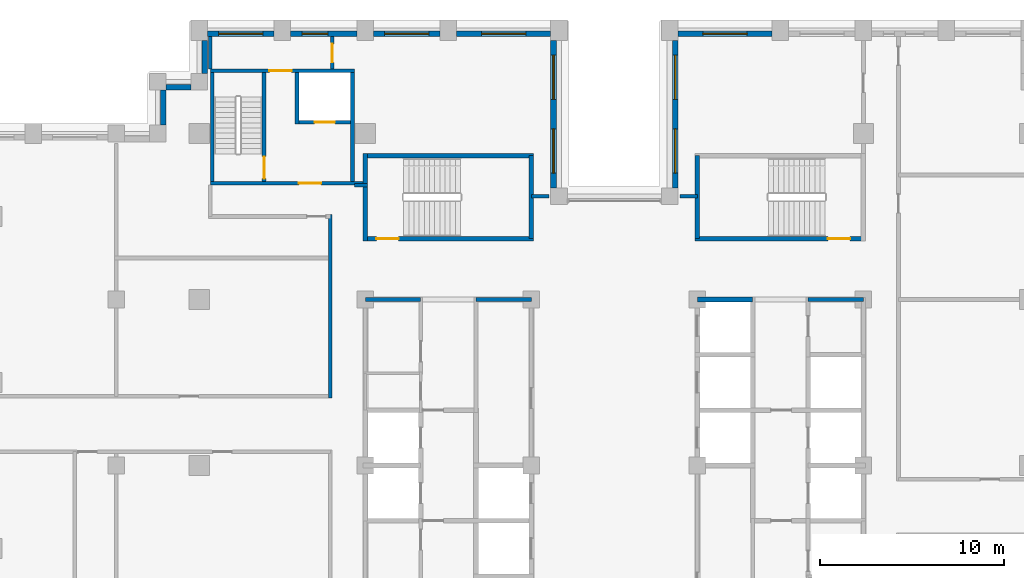
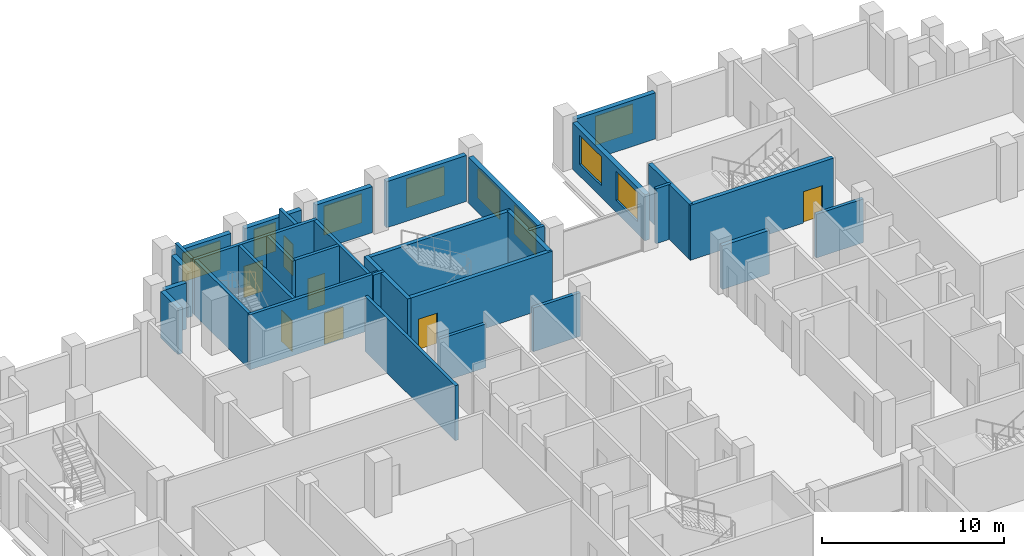
# One storey, part 10 of 15: 33 walls, 9 windows, 7 doors, 16 openings.
"""IFC4 building model written with IfcOpenShell, lengths in metres."""

from ifc_helpers import new_model, si_unit, direction, frame, frame_2d, origin, place, context, subcontext, project, spatial, rectangle, extrude, material, layer, layer_set, type_object, element, fill, save


model = new_model("IFC4")

# Units and contexts
model_context = context("Model", 3, precision=1e-05, world=origin(), true_north=direction((0.0, 1.0)))
body_context = subcontext(model_context, "Body", "Model", "MODEL_VIEW")
ifc_project = project(units=[si_unit("LENGTHUNIT", "METRE"), si_unit("AREAUNIT", "SQUARE_METRE"), si_unit("VOLUMEUNIT", "CUBIC_METRE"), si_unit("PLANEANGLEUNIT", "RADIAN"), si_unit("MASSUNIT", "GRAM", prefix="KILO")], contexts=[model_context])

# Site, building, storey
site_placement = place(None, origin())
site = spatial("IfcSite", under=ifc_project, at=site_placement, CompositionType="ELEMENT")
building_placement = place(site_placement, origin())
building = spatial("IfcBuilding", under=site, at=building_placement, Name="Corbelhall Arena Tower", CompositionType="ELEMENT")
storey_placement = place(building_placement, frame((0.0, 0.0, 142.0)))
storey = spatial("IfcBuildingStorey", under=building, at=storey_placement, Name="L27", CompositionType="ELEMENT", Elevation=142.0)

# Walls
ifc_material_1 = material(Name="Precast concrete C40/50 with granite facing", Category="masonry")
ifc_layer_1 = layer(ifc_material_1, 0.300048828125)
ifc_layer_set_1 = layer_set([ifc_layer_1], Name="EV-IW1 Infill panel 300")
wall_type_1 = type_object("IfcWallType", Name="EV-IW1 Infill panel 300", PredefinedType="SOLIDWALL", material=ifc_layer_set_1)
wall_1_placement = place(storey_placement, frame((-22.199951171875, 23.050048828125, 0.0), z_axis=(0.0, 0.0, 1.0), x_axis=(0.0, -1.0, 0.0)))
element("IfcWall", 1, at=wall_1_placement, inside=storey, type_object=wall_type_1, Name="Infill panel IW1", PredefinedType="SOLIDWALL", context=body_context, shape_type="SweptSolid", body=[
    extrude(rectangle(XDim=1.800048828125, YDim=0.300048828125, at=frame_2d((0.89990234375, 0.0))), origin(), (0.0, 0.0, 1.0), 3.10009765625),
])
wall_2_placement = place(storey_placement, frame((-22.949951171875, 20.5, 0.0), z_axis=(0.0, 0.0, 1.0), x_axis=(-1.0, 0.0, 0.0)))
element("IfcWall", 2, at=wall_2_placement, inside=storey, type_object=wall_type_1, Name="Infill panel IW1", PredefinedType="SOLIDWALL", context=body_context, shape_type="SweptSolid", body=[
    extrude(rectangle(XDim=1.35009765625, YDim=0.300048828125, at=frame_2d((0.675048828125, 0.0))), origin(), (0.0, 0.0, 1.0), 3.10009765625),
])
wall_3_placement = place(storey_placement, frame((-24.449951171875, 20.35009765625, 0.0), z_axis=(0.0, 0.0, 1.0), x_axis=(0.0, -1.0, 0.0)))
element("IfcWall", 3, at=wall_3_placement, inside=storey, type_object=wall_type_1, Name="Infill panel IW1", PredefinedType="SOLIDWALL", context=body_context, shape_type="SweptSolid", body=[
    extrude(rectangle(XDim=1.900146484375, YDim=0.300048828125, at=frame_2d((0.9501953125, 0.0))), origin(), (0.0, 0.0, 1.0), 3.10009765625),
])

# Wall, opening, window
wall_4_placement = place(storey_placement, frame((8.550048828125, 23.39990234375, 0.0), z_axis=(0.0, 0.0, 1.0), x_axis=(-1.0, 0.0, 0.0)))
wall_4 = element("IfcWall", 4, at=wall_4_placement, inside=storey, type_object=wall_type_1, Name="Infill panel IW1", PredefinedType="SOLIDWALL", context=body_context, shape_type="SweptSolid", body=[
    extrude(rectangle(XDim=5.10009765625, YDim=0.300048828125, at=frame_2d((2.550048828125, 0.0))), origin(), (0.0, 0.0, 1.0), 3.10009765625),
])
opening_1_placement = place(wall_4_placement, frame((1.35009765625, 0.0, 0.800048828125)))
opening_1 = element("IfcOpeningElement", 5, at=opening_1_placement, cuts=wall_4, Name="Opening WN1", PredefinedType="OPENING", context=body_context, shape_type="SweptSolid", body=[
    extrude(rectangle(XDim=2.39990234375, YDim=1.949951171875, at=frame_2d((1.199951171875, 0.97509765625))), frame((0.0, 0.14990234375, 0.0), z_axis=(0.0, -1.0, 0.0), x_axis=(1.0, 0.0, 0.0)), (0.0, 0.0, 1.0), 0.300048828125),
])
ifc_material_2 = material(Name="Aluminium black anodised", Category="aluminium")
window_type_1 = type_object("IfcWindowType", Name="EV-WN1 Office window", PartitioningType="SINGLE_PANEL", PredefinedType="WINDOW", material=ifc_material_2)
window_1_placement = place(opening_1_placement, origin())
window_1 = element("IfcWindow", 6, at=window_1_placement, inside=storey, type_object=window_type_1, Name="Window WN1", OverallHeight=1.949951171875, OverallWidth=2.39990234375, PartitioningType="SINGLE_PANEL", PredefinedType="WINDOW", context=body_context, shape_type="SweptSolid", body=[
    extrude(rectangle(XDim=2.39990234375, YDim=1.949951171875, at=frame_2d((1.199951171875, 0.97509765625))), frame((0.0, 0.030029296875, 0.0), z_axis=(0.0, -1.0, 0.0), x_axis=(1.0, 0.0, 0.0)), (0.0, 0.0, 1.0), 0.06005859375),
])
fill(opening_1, window_1)

# Wall, openings, windows
wall_5_placement = place(storey_placement, frame((3.300048828125, 23.050048828125, 0.0), z_axis=(0.0, 0.0, 1.0), x_axis=(0.0, -1.0, 0.0)))
wall_5 = element("IfcWall", 7, at=wall_5_placement, inside=storey, type_object=wall_type_1, Name="Infill panel IW1", PredefinedType="SOLIDWALL", context=body_context, shape_type="SweptSolid", body=[
    extrude(rectangle(XDim=8.0, YDim=0.300048828125, at=frame_2d((4.0, 0.0))), origin(), (0.0, 0.0, 1.0), 3.10009765625),
])
opening_2_placement = place(wall_5_placement, frame((0.800048828125, 0.0, 0.800048828125)))
opening_2 = element("IfcOpeningElement", 8, at=opening_2_placement, cuts=wall_5, Name="Opening WN1", PredefinedType="OPENING", context=body_context, shape_type="SweptSolid", body=[
    extrude(rectangle(XDim=2.39990234375, YDim=1.949951171875, at=frame_2d((1.199951171875, 0.97509765625))), frame((0.0, 0.14990234375, 0.0), z_axis=(0.0, -1.0, 0.0), x_axis=(1.0, 0.0, 0.0)), (0.0, 0.0, 1.0), 0.300048828125),
])
opening_3_placement = place(wall_5_placement, frame((4.800048828125, 0.0, 0.800048828125)))
opening_3 = element("IfcOpeningElement", 9, at=opening_3_placement, cuts=wall_5, Name="Opening WN1", PredefinedType="OPENING", context=body_context, shape_type="SweptSolid", body=[
    extrude(rectangle(XDim=2.39990234375, YDim=1.949951171875, at=frame_2d((1.199951171875, 0.97509765625))), frame((0.0, 0.14990234375, 0.0), z_axis=(0.0, -1.0, 0.0), x_axis=(1.0, 0.0, 0.0)), (0.0, 0.0, 1.0), 0.300048828125),
])
window_2_placement = place(opening_2_placement, origin())
window_2 = element("IfcWindow", 10, at=window_2_placement, inside=storey, type_object=window_type_1, Name="Window WN1", OverallHeight=1.949951171875, OverallWidth=2.39990234375, PartitioningType="SINGLE_PANEL", PredefinedType="WINDOW", context=body_context, shape_type="SweptSolid", body=[
    extrude(rectangle(XDim=2.39990234375, YDim=1.949951171875, at=frame_2d((1.199951171875, 0.97509765625))), frame((0.0, 0.030029296875, 0.0), z_axis=(0.0, -1.0, 0.0), x_axis=(1.0, 0.0, 0.0)), (0.0, 0.0, 1.0), 0.06005859375),
])
fill(opening_2, window_2)
window_3_placement = place(opening_3_placement, origin())
window_3 = element("IfcWindow", 11, at=window_3_placement, inside=storey, type_object=window_type_1, Name="Window WN1", OverallHeight=1.949951171875, OverallWidth=2.39990234375, PartitioningType="SINGLE_PANEL", PredefinedType="WINDOW", context=body_context, shape_type="SweptSolid", body=[
    extrude(rectangle(XDim=2.39990234375, YDim=1.949951171875, at=frame_2d((1.199951171875, 0.97509765625))), frame((0.0, 0.030029296875, 0.0), z_axis=(0.0, -1.0, 0.0), x_axis=(1.0, 0.0, 0.0)), (0.0, 0.0, 1.0), 0.06005859375),
])
fill(opening_3, window_3)

wall_6_placement = place(storey_placement, frame((-3.300048828125, 15.050048828125, 0.0), z_axis=(0.0, 0.0, 1.0), x_axis=(0.0, 1.0, 0.0)))
wall_6 = element("IfcWall", 12, at=wall_6_placement, inside=storey, type_object=wall_type_1, Name="Infill panel IW1", PredefinedType="SOLIDWALL", context=body_context, shape_type="SweptSolid", body=[
    extrude(rectangle(XDim=8.0, YDim=0.300048828125, at=frame_2d((4.0, 0.0))), origin(), (0.0, 0.0, 1.0), 3.10009765625),
])
opening_4_placement = place(wall_6_placement, frame((0.800048828125, 0.0, 0.800048828125)))
opening_4 = element("IfcOpeningElement", 13, at=opening_4_placement, cuts=wall_6, Name="Opening WN1", PredefinedType="OPENING", context=body_context, shape_type="SweptSolid", body=[
    extrude(rectangle(XDim=2.39990234375, YDim=1.949951171875, at=frame_2d((1.199951171875, 0.97509765625))), frame((0.0, 0.14990234375, 0.0), z_axis=(0.0, -1.0, 0.0), x_axis=(1.0, 0.0, 0.0)), (0.0, 0.0, 1.0), 0.300048828125),
])
opening_5_placement = place(wall_6_placement, frame((4.800048828125, 0.0, 0.800048828125)))
opening_5 = element("IfcOpeningElement", 14, at=opening_5_placement, cuts=wall_6, Name="Opening WN1", PredefinedType="OPENING", context=body_context, shape_type="SweptSolid", body=[
    extrude(rectangle(XDim=2.39990234375, YDim=1.949951171875, at=frame_2d((1.199951171875, 0.97509765625))), frame((0.0, 0.14990234375, 0.0), z_axis=(0.0, -1.0, 0.0), x_axis=(1.0, 0.0, 0.0)), (0.0, 0.0, 1.0), 0.300048828125),
])
window_4_placement = place(opening_4_placement, origin())
window_4 = element("IfcWindow", 15, at=window_4_placement, inside=storey, type_object=window_type_1, Name="Window WN1", OverallHeight=1.949951171875, OverallWidth=2.39990234375, PartitioningType="SINGLE_PANEL", PredefinedType="WINDOW", context=body_context, shape_type="SweptSolid", body=[
    extrude(rectangle(XDim=2.39990234375, YDim=1.949951171875, at=frame_2d((1.199951171875, 0.97509765625))), frame((0.0, 0.030029296875, 0.0), z_axis=(0.0, -1.0, 0.0), x_axis=(1.0, 0.0, 0.0)), (0.0, 0.0, 1.0), 0.06005859375),
])
fill(opening_4, window_4)
window_5_placement = place(opening_5_placement, origin())
window_5 = element("IfcWindow", 16, at=window_5_placement, inside=storey, type_object=window_type_1, Name="Window WN1", OverallHeight=1.949951171875, OverallWidth=2.39990234375, PartitioningType="SINGLE_PANEL", PredefinedType="WINDOW", context=body_context, shape_type="SweptSolid", body=[
    extrude(rectangle(XDim=2.39990234375, YDim=1.949951171875, at=frame_2d((1.199951171875, 0.97509765625))), frame((0.0, 0.030029296875, 0.0), z_axis=(0.0, -1.0, 0.0), x_axis=(1.0, 0.0, 0.0)), (0.0, 0.0, 1.0), 0.06005859375),
])
fill(opening_5, window_5)

# Wall, opening, window
wall_7_placement = place(storey_placement, frame((-3.449951171875, 23.39990234375, 0.0), z_axis=(0.0, 0.0, 1.0), x_axis=(-1.0, 0.0, 0.0)))
wall_7 = element("IfcWall", 17, at=wall_7_placement, inside=storey, type_object=wall_type_1, Name="Infill panel IW1", PredefinedType="SOLIDWALL", context=body_context, shape_type="SweptSolid", body=[
    extrude(rectangle(XDim=5.10009765625, YDim=0.300048828125, at=frame_2d((2.550048828125, 0.0))), origin(), (0.0, 0.0, 1.0), 3.10009765625),
])
opening_6_placement = place(wall_7_placement, frame((1.35009765625, 0.0, 0.800048828125)))
opening_6 = element("IfcOpeningElement", 18, at=opening_6_placement, cuts=wall_7, Name="Opening WN1", PredefinedType="OPENING", context=body_context, shape_type="SweptSolid", body=[
    extrude(rectangle(XDim=2.39990234375, YDim=1.949951171875, at=frame_2d((1.199951171875, 0.97509765625))), frame((0.0, 0.14990234375, 0.0), z_axis=(0.0, -1.0, 0.0), x_axis=(1.0, 0.0, 0.0)), (0.0, 0.0, 1.0), 0.300048828125),
])
window_6_placement = place(opening_6_placement, origin())
window_6 = element("IfcWindow", 19, at=window_6_placement, inside=storey, type_object=window_type_1, Name="Window WN1", OverallHeight=1.949951171875, OverallWidth=2.39990234375, PartitioningType="SINGLE_PANEL", PredefinedType="WINDOW", context=body_context, shape_type="SweptSolid", body=[
    extrude(rectangle(XDim=2.39990234375, YDim=1.949951171875, at=frame_2d((1.199951171875, 0.97509765625))), frame((0.0, 0.030029296875, 0.0), z_axis=(0.0, -1.0, 0.0), x_axis=(1.0, 0.0, 0.0)), (0.0, 0.0, 1.0), 0.06005859375),
])
fill(opening_6, window_6)

wall_8_placement = place(storey_placement, frame((-9.449951171875, 23.39990234375, 0.0), z_axis=(0.0, 0.0, 1.0), x_axis=(-1.0, 0.0, 0.0)))
wall_8 = element("IfcWall", 20, at=wall_8_placement, inside=storey, type_object=wall_type_1, Name="Infill panel IW1", PredefinedType="SOLIDWALL", context=body_context, shape_type="SweptSolid", body=[
    extrude(rectangle(XDim=3.60009765625, YDim=0.300048828125, at=frame_2d((1.800048828125, 0.0))), origin(), (0.0, 0.0, 1.0), 3.10009765625),
])
opening_7_placement = place(wall_8_placement, frame((0.60009765625, 0.0, 0.800048828125)))
opening_7 = element("IfcOpeningElement", 21, at=opening_7_placement, cuts=wall_8, Name="Opening WN1", PredefinedType="OPENING", context=body_context, shape_type="SweptSolid", body=[
    extrude(rectangle(XDim=2.39990234375, YDim=1.949951171875, at=frame_2d((1.199951171875, 0.97509765625))), frame((0.0, 0.14990234375, 0.0), z_axis=(0.0, -1.0, 0.0), x_axis=(1.0, 0.0, 0.0)), (0.0, 0.0, 1.0), 0.300048828125),
])
window_7_placement = place(opening_7_placement, origin())
window_7 = element("IfcWindow", 22, at=window_7_placement, inside=storey, type_object=window_type_1, Name="Window WN1", OverallHeight=1.949951171875, OverallWidth=2.39990234375, PartitioningType="SINGLE_PANEL", PredefinedType="WINDOW", context=body_context, shape_type="SweptSolid", body=[
    extrude(rectangle(XDim=2.39990234375, YDim=1.949951171875, at=frame_2d((1.199951171875, 0.97509765625))), frame((0.0, 0.030029296875, 0.0), z_axis=(0.0, -1.0, 0.0), x_axis=(1.0, 0.0, 0.0)), (0.0, 0.0, 1.0), 0.06005859375),
])
fill(opening_7, window_7)

wall_9_placement = place(storey_placement, frame((-13.949951171875, 23.39990234375, 0.0), z_axis=(0.0, 0.0, 1.0), x_axis=(-1.0, 0.0, 0.0)))
wall_9 = element("IfcWall", 23, at=wall_9_placement, inside=storey, type_object=wall_type_1, Name="Infill panel IW1", PredefinedType="SOLIDWALL", context=body_context, shape_type="SweptSolid", body=[
    extrude(rectangle(XDim=3.60009765625, YDim=0.300048828125, at=frame_2d((1.800048828125, 0.0))), origin(), (0.0, 0.0, 1.0), 3.10009765625),
])
opening_8_placement = place(wall_9_placement, frame((1.574951171875, 0.0, 0.800048828125)))
opening_8 = element("IfcOpeningElement", 24, at=opening_8_placement, cuts=wall_9, Name="Opening WN7", PredefinedType="OPENING", context=body_context, shape_type="SweptSolid", body=[
    extrude(rectangle(XDim=1.39990234375, YDim=1.949951171875, at=frame_2d((0.699951171875, 0.97509765625))), frame((0.0, 0.14990234375, 0.0), z_axis=(0.0, -1.0, 0.0), x_axis=(1.0, 0.0, 0.0)), (0.0, 0.0, 1.0), 0.300048828125),
])
window_type_2 = type_object("IfcWindowType", Name="EV-WN7 Office window 1400", PartitioningType="SINGLE_PANEL", PredefinedType="WINDOW", material=ifc_material_2)
window_8_placement = place(opening_8_placement, origin())
window_8 = element("IfcWindow", 25, at=window_8_placement, inside=storey, type_object=window_type_2, Name="Window WN7", OverallHeight=1.949951171875, OverallWidth=1.39990234375, PartitioningType="SINGLE_PANEL", PredefinedType="WINDOW", context=body_context, shape_type="SweptSolid", body=[
    extrude(rectangle(XDim=1.39990234375, YDim=1.949951171875, at=frame_2d((0.699951171875, 0.97509765625))), frame((0.0, 0.030029296875, 0.0), z_axis=(0.0, -1.0, 0.0), x_axis=(1.0, 0.0, 0.0)), (0.0, 0.0, 1.0), 0.06005859375),
])
fill(opening_8, window_8)

wall_10_placement = place(storey_placement, frame((-18.449951171875, 23.39990234375, 0.0), z_axis=(0.0, 0.0, 1.0), x_axis=(-1.0, 0.0, 0.0)))
wall_10 = element("IfcWall", 26, at=wall_10_placement, inside=storey, type_object=wall_type_1, Name="Infill panel IW1", PredefinedType="SOLIDWALL", context=body_context, shape_type="SweptSolid", body=[
    extrude(rectangle(XDim=3.60009765625, YDim=0.300048828125, at=frame_2d((1.800048828125, 0.0))), origin(), (0.0, 0.0, 1.0), 3.10009765625),
])
opening_9_placement = place(wall_10_placement, frame((0.60009765625, 0.0, 0.800048828125)))
opening_9 = element("IfcOpeningElement", 27, at=opening_9_placement, cuts=wall_10, Name="Opening WN1", PredefinedType="OPENING", context=body_context, shape_type="SweptSolid", body=[
    extrude(rectangle(XDim=2.39990234375, YDim=1.949951171875, at=frame_2d((1.199951171875, 0.97509765625))), frame((0.0, 0.14990234375, 0.0), z_axis=(0.0, -1.0, 0.0), x_axis=(1.0, 0.0, 0.0)), (0.0, 0.0, 1.0), 0.300048828125),
])
window_9_placement = place(opening_9_placement, origin())
window_9 = element("IfcWindow", 28, at=window_9_placement, inside=storey, type_object=window_type_1, Name="Window WN1", OverallHeight=1.949951171875, OverallWidth=2.39990234375, PartitioningType="SINGLE_PANEL", PredefinedType="WINDOW", context=body_context, shape_type="SweptSolid", body=[
    extrude(rectangle(XDim=2.39990234375, YDim=1.949951171875, at=frame_2d((1.199951171875, 0.97509765625))), frame((0.0, 0.030029296875, 0.0), z_axis=(0.0, -1.0, 0.0), x_axis=(1.0, 0.0, 0.0)), (0.0, 0.0, 1.0), 0.06005859375),
])
fill(opening_9, window_9)

# Walls
ifc_material_3 = material(Name="Gypsum board on steel stud, acoustic", Category="steel")
ifc_layer_2 = layer(ifc_material_3, 0.199951171875)
ifc_layer_set_2 = layer_set([ifc_layer_2], Name="IN-W-DM200")
wall_type_2 = type_object("IfcWallType", Name="IN-W-DM200", PredefinedType="PARTITIONING", material=ifc_layer_set_2)
wall_11_placement = place(storey_placement, frame((-21.89990234375, 21.5, 0.0), z_axis=(0.0, 0.0, 1.0), x_axis=(0.0, 1.0, 0.0)))
element("IfcWall", 29, at=wall_11_placement, inside=storey, type_object=wall_type_2, Name="Partition 015", PredefinedType="PARTITIONING", context=body_context, shape_type="SweptSolid", body=[
    extrude(rectangle(XDim=1.75, YDim=0.199951171875, at=frame_2d((0.875, 0.0))), origin(), (0.0, 0.0, 1.0), 3.699951171875),
])
wall_12_placement = place(storey_placement, frame((-15.39990234375, 3.64990234375, 0.0), z_axis=(0.0, 0.0, 1.0), x_axis=(0.0, 1.0, 0.0)))
element("IfcWall", 30, at=wall_12_placement, inside=storey, type_object=wall_type_2, Name="Partition 017", PredefinedType="PARTITIONING", context=body_context, shape_type="SweptSolid", body=[
    extrude(rectangle(XDim=9.9501953125, YDim=0.199951171875, at=frame_2d((4.97509765625, 0.0))), origin(), (0.0, 0.0, 1.0), 3.699951171875),
])

# Wall, opening, door
wall_13_placement = place(storey_placement, frame((-15.300048828125, 23.25, 0.0), z_axis=(0.0, 0.0, 1.0), x_axis=(0.0, -1.0, 0.0)))
wall_13 = element("IfcWall", 31, at=wall_13_placement, inside=storey, type_object=wall_type_2, Name="Partition 019", PredefinedType="PARTITIONING", context=body_context, shape_type="SweptSolid", body=[
    extrude(rectangle(XDim=1.75, YDim=0.199951171875, at=frame_2d((0.875, 0.0))), origin(), (0.0, 0.0, 1.0), 3.699951171875),
])
opening_10_placement = place(wall_13_placement, frame((0.39990234375, 0.0, 0.0)))
opening_10 = element("IfcOpeningElement", 32, at=opening_10_placement, cuts=wall_13, Name="Opening 07022", PredefinedType="OPENING", context=body_context, shape_type="SweptSolid", body=[
    extrude(rectangle(XDim=1.0, YDim=2.10009765625, at=frame_2d((0.5, 1.050048828125))), frame((0.0, 0.10009765625, 0.0), z_axis=(0.0, -1.0, 0.0), x_axis=(1.0, 0.0, 0.0)), (0.0, 0.0, 1.0), 0.199951171875),
])
ifc_material_4 = material(Name="Steel door set", Category="steel")
door_type_1 = type_object("IfcDoorType", Name="IN-D-SW100", OperationType="NOTDEFINED", PredefinedType="DOOR", material=ifc_material_4)
door_1_placement = place(opening_10_placement, origin())
door_1 = element("IfcDoor", 33, at=door_1_placement, inside=storey, type_object=door_type_1, Name="Door 022", OperationType="SINGLE_SWING_LEFT", OverallHeight=2.10009765625, OverallWidth=1.0, PredefinedType="DOOR", context=body_context, shape_type="SweptSolid", body=[
    extrude(rectangle(XDim=1.0, YDim=2.10009765625, at=frame_2d((0.5, 1.050048828125))), frame((0.0, 0.02490234375, 0.0), z_axis=(0.0, -1.0, 0.0), x_axis=(1.0, 0.0, 0.0)), (0.0, 0.0, 1.0), 0.050048828125),
])
fill(opening_10, door_1)

# Walls
wall_14_placement = place(storey_placement, frame((-14.10009765625, 15.199951171875, 0.0), z_axis=(0.0, 0.0, 1.0), x_axis=(1.0, 0.0, 0.0)))
element("IfcWall", 34, at=wall_14_placement, inside=storey, type_object=wall_type_2, Name="Partition 020", PredefinedType="PARTITIONING", context=body_context, shape_type="SweptSolid", body=[
    extrude(rectangle(XDim=0.72509765625, YDim=0.199951171875, at=frame_2d((0.362548828125, 0.0))), origin(), (0.0, 0.0, 1.0), 3.699951171875),
])
for number, where, z_axis, x_axis, name in (
    (35, (-4.5, 14.60009765625, 0.0), (0.0, 0.0, 1.0), (1.0, 0.0, 0.0), "Partition 022"),
    (36, (3.550048828125, 14.60009765625, 0.0), (0.0, 0.0, 1.0), (1.0, 0.0, 0.0), "Partition 024"),
):
    element("IfcWall", number, at=place(storey_placement, frame(where, z_axis=z_axis, x_axis=x_axis)), inside=storey, type_object=wall_type_2, Name=name, PredefinedType="PARTITIONING", context=body_context, shape_type="SweptSolid", body=[
        extrude(rectangle(XDim=0.949951171875, YDim=0.199951171875, at=frame_2d((0.47509765625, 0.0))), origin(), (0.0, 0.0, 1.0), 3.699951171875),
    ])

# Wall, opening, door
ifc_material_5 = material(Name="Concrete C40/50", Category="concrete")
ifc_layer_3 = layer(ifc_material_5, 0.199951171875)
ifc_layer_set_3 = layer_set([ifc_layer_3], Name="IN-W-EAR200")
wall_type_3 = type_object("IfcWallType", Name="IN-W-EAR200", PredefinedType="SOLIDWALL", material=ifc_layer_set_3)
wall_15_placement = place(storey_placement, frame((-21.89990234375, 15.300048828125, 0.0), z_axis=(0.0, 0.0, 1.0), x_axis=(1.0, 0.0, 0.0)))
wall_15 = element("IfcWall", 37, at=wall_15_placement, inside=storey, type_object=wall_type_3, Name="Fire service turret wall south", PredefinedType="SOLIDWALL", context=body_context, shape_type="SweptSolid", body=[
    extrude(rectangle(XDim=8.27490234375, YDim=0.199951171875, at=frame_2d((4.137451171875, 0.0))), origin(), (0.0, 0.0, 1.0), 3.699951171875),
])
opening_11_placement = place(wall_15_placement, frame((4.800048828125, 0.0, 0.0)))
opening_11 = element("IfcOpeningElement", 38, at=opening_11_placement, cuts=wall_15, Name="Opening E072", PredefinedType="OPENING", context=body_context, shape_type="SweptSolid", body=[
    extrude(rectangle(XDim=1.199951171875, YDim=2.10009765625, at=frame_2d((0.60009765625, 1.050048828125))), frame((0.0, 0.10009765625, 0.0), z_axis=(0.0, -1.0, 0.0), x_axis=(1.0, 0.0, 0.0)), (0.0, 0.0, 1.0), 0.199951171875),
])
door_type_2 = type_object("IfcDoorType", Name="IN-D-ST120", OperationType="NOTDEFINED", PredefinedType="DOOR", material=ifc_material_4)
door_2_placement = place(opening_11_placement, origin())
door_2 = element("IfcDoor", 39, at=door_2_placement, inside=storey, type_object=door_type_2, Name="Door from fire service lift lobby to circulation", OperationType="SINGLE_SWING_RIGHT", OverallHeight=2.10009765625, OverallWidth=1.199951171875, PredefinedType="DOOR", context=body_context, shape_type="SweptSolid", body=[
    extrude(rectangle(XDim=1.199951171875, YDim=2.10009765625, at=frame_2d((0.60009765625, 1.050048828125))), frame((0.0, 0.02490234375, 0.0), z_axis=(0.0, -1.0, 0.0), x_axis=(1.0, 0.0, 0.0)), (0.0, 0.0, 1.0), 0.050048828125),
])
fill(opening_11, door_2)

wall_16_placement = place(storey_placement, frame((-21.89990234375, 21.39990234375, 0.0), z_axis=(0.0, 0.0, 1.0), x_axis=(1.0, 0.0, 0.0)))
wall_16 = element("IfcWall", 40, at=wall_16_placement, inside=storey, type_object=wall_type_3, Name="Fire service turret wall north", PredefinedType="SOLIDWALL", context=body_context, shape_type="SweptSolid", body=[
    extrude(rectangle(XDim=7.7998046875, YDim=0.199951171875, at=frame_2d((3.89990234375, 0.0))), origin(), (0.0, 0.0, 1.0), 3.699951171875),
])
opening_12_placement = place(wall_16_placement, frame((3.199951171875, 0.0, 0.0)))
opening_12 = element("IfcOpeningElement", 41, at=opening_12_placement, cuts=wall_16, Name="Opening E073", PredefinedType="OPENING", context=body_context, shape_type="SweptSolid", body=[
    extrude(rectangle(XDim=1.199951171875, YDim=2.10009765625, at=frame_2d((0.60009765625, 1.050048828125))), frame((0.0, 0.10009765625, 0.0), z_axis=(0.0, -1.0, 0.0), x_axis=(1.0, 0.0, 0.0)), (0.0, 0.0, 1.0), 0.199951171875),
])
door_3_placement = place(opening_12_placement, origin())
door_3 = element("IfcDoor", 42, at=door_3_placement, inside=storey, type_object=door_type_2, Name="Door from fire service lift lobby to the north gallery", OperationType="SINGLE_SWING_LEFT", OverallHeight=2.10009765625, OverallWidth=1.199951171875, PredefinedType="DOOR", context=body_context, shape_type="SweptSolid", body=[
    extrude(rectangle(XDim=1.199951171875, YDim=2.10009765625, at=frame_2d((0.60009765625, 1.050048828125))), frame((0.0, 0.02490234375, 0.0), z_axis=(0.0, -1.0, 0.0), x_axis=(1.0, 0.0, 0.0)), (0.0, 0.0, 1.0), 0.050048828125),
])
fill(opening_12, door_3)

# Walls
for number, where, z_axis, x_axis, name in (
    (43, (-21.800048828125, 15.39990234375, 0.0), (0.0, 0.0, 1.0), (0.0, 1.0, 0.0), "Fire service turret wall west"),
    (44, (-14.199951171875, 15.39990234375, 0.0), (0.0, 0.0, 1.0), (0.0, 1.0, 0.0), "Fire service turret wall east"),
):
    element("IfcWall", number, at=place(storey_placement, frame(where, z_axis=z_axis, x_axis=x_axis)), inside=storey, type_object=wall_type_3, Name=name, PredefinedType="SOLIDWALL", context=body_context, shape_type="SweptSolid", body=[
        extrude(rectangle(XDim=5.900146484375, YDim=0.199951171875, at=frame_2d((2.9501953125, 0.0))), origin(), (0.0, 0.0, 1.0), 3.699951171875),
    ])

# Wall, opening, door
wall_17_placement = place(storey_placement, frame((-18.989990234375, 15.39990234375, 0.0), z_axis=(0.0, 0.0, 1.0), x_axis=(0.0, 1.0, 0.0)))
wall_17 = element("IfcWall", 45, at=wall_17_placement, inside=storey, type_object=wall_type_3, Name="Fire service turret wall stair", PredefinedType="SOLIDWALL", context=body_context, shape_type="SweptSolid", body=[
    extrude(rectangle(XDim=5.900146484375, YDim=0.199951171875, at=frame_2d((2.9501953125, 0.0))), origin(), (0.0, 0.0, 1.0), 3.699951171875),
])
opening_13_placement = place(wall_17_placement, frame((0.14990234375, 0.0, 0.0)))
opening_13 = element("IfcOpeningElement", 46, at=opening_13_placement, cuts=wall_17, Name="Opening E071", PredefinedType="OPENING", context=body_context, shape_type="SweptSolid", body=[
    extrude(rectangle(XDim=1.199951171875, YDim=2.10009765625, at=frame_2d((0.60009765625, 1.050048828125))), frame((0.0, 0.10009765625, 0.0), z_axis=(0.0, -1.0, 0.0), x_axis=(1.0, 0.0, 0.0)), (0.0, 0.0, 1.0), 0.199951171875),
])
door_4_placement = place(opening_13_placement, origin())
door_4 = element("IfcDoor", 47, at=door_4_placement, inside=storey, type_object=door_type_2, Name="Stair door to fire service lobby", OperationType="SINGLE_SWING_LEFT", OverallHeight=2.10009765625, OverallWidth=1.199951171875, PredefinedType="DOOR", context=body_context, shape_type="SweptSolid", body=[
    extrude(rectangle(XDim=1.199951171875, YDim=2.10009765625, at=frame_2d((0.60009765625, 1.050048828125))), frame((0.0, 0.02490234375, 0.0), z_axis=(0.0, -1.0, 0.0), x_axis=(1.0, 0.0, 0.0)), (0.0, 0.0, 1.0), 0.050048828125),
])
fill(opening_13, door_4)

# Wall
wall_18_placement = place(storey_placement, frame((-17.199951171875, 18.5, 0.0), z_axis=(0.0, 0.0, 1.0), x_axis=(0.0, 1.0, 0.0)))
element("IfcWall", 48, at=wall_18_placement, inside=storey, type_object=wall_type_3, Name="Fire service turret wall hoistway west", PredefinedType="SOLIDWALL", context=body_context, shape_type="SweptSolid", body=[
    extrude(rectangle(XDim=2.800048828125, YDim=0.199951171875, at=frame_2d((1.39990234375, 0.0))), origin(), (0.0, 0.0, 1.0), 3.699951171875),
])

# Wall, opening, door
wall_19_placement = place(storey_placement, frame((-17.10009765625, 18.60009765625, 0.0), z_axis=(0.0, 0.0, 1.0), x_axis=(1.0, 0.0, 0.0)))
wall_19 = element("IfcWall", 49, at=wall_19_placement, inside=storey, type_object=wall_type_3, Name="Fire service turret wall hoistway south", PredefinedType="SOLIDWALL", context=body_context, shape_type="SweptSolid", body=[
    extrude(rectangle(XDim=2.800048828125, YDim=0.199951171875, at=frame_2d((1.39990234375, 0.0))), origin(), (0.0, 0.0, 1.0), 3.699951171875),
])
opening_14_placement = place(wall_19_placement, frame((0.85009765625, 0.0, 0.0)))
opening_14 = element("IfcOpeningElement", 50, at=opening_14_placement, cuts=wall_19, Name="Opening LD", PredefinedType="OPENING", context=body_context, shape_type="SweptSolid", body=[
    extrude(rectangle(XDim=1.10009765625, YDim=2.10009765625, at=frame_2d((0.550048828125, 1.050048828125))), frame((0.0, 0.10009765625, 0.0), z_axis=(0.0, -1.0, 0.0), x_axis=(1.0, 0.0, 0.0)), (0.0, 0.0, 1.0), 0.199951171875),
])
door_type_3 = type_object("IfcDoorType", Name="IN-D-LD110", OperationType="NOTDEFINED", PredefinedType="DOOR", material=ifc_material_4)
door_5_placement = place(opening_14_placement, origin())
door_5 = element("IfcDoor", 51, at=door_5_placement, inside=storey, type_object=door_type_3, Name="Landing door FS1", OperationType="SLIDING_TO_LEFT", OverallHeight=2.10009765625, OverallWidth=1.10009765625, PredefinedType="DOOR", context=body_context, shape_type="SweptSolid", body=[
    extrude(rectangle(XDim=1.10009765625, YDim=2.10009765625, at=frame_2d((0.550048828125, 1.050048828125))), frame((0.0, 0.02490234375, 0.0), z_axis=(0.0, -1.0, 0.0), x_axis=(1.0, 0.0, 0.0)), (0.0, 0.0, 1.0), 0.050048828125),
])
fill(opening_14, door_5)

# Walls
ifc_material_6 = material(Name="Concrete block wall", Category="concrete")
ifc_layer_4 = layer(ifc_material_6, 0.199951171875)
ifc_layer_set_4 = layer_set([ifc_layer_4], Name="IN-W-RS200 under beam 762 mm")
wall_type_4 = type_object("IfcWallType", Name="IN-W-RS200 under beam 762 mm", PredefinedType="SOLIDWALL", material=ifc_layer_set_4)
for number, where, z_axis, x_axis, name in (
    (52, (-13.5, 9.0, 0.0), (0.0, 0.0, 1.0), (1.0, 0.0, 0.0), "Partition 048"),
    (53, (-7.5, 9.0, 0.0), (0.0, 0.0, 1.0), (1.0, 0.0, 0.0), "Partition 052"),
    (54, (10.5, 9.0, 0.0), (0.0, 0.0, 1.0), (1.0, 0.0, 0.0), "Partition 058"),
):
    element("IfcWall", number, at=place(storey_placement, frame(where, z_axis=z_axis, x_axis=x_axis)), inside=storey, type_object=wall_type_4, Name=name, PredefinedType="SOLIDWALL", context=body_context, shape_type="SweptSolid", body=[
        extrude(rectangle(XDim=3.0, YDim=0.199951171875, at=frame_2d((1.5, 0.0))), origin(), (0.0, 0.0, 1.0), 2.93798828125),
    ])
ifc_layer_5 = layer(ifc_material_5, 0.25)
ifc_layer_set_5 = layer_set([ifc_layer_5], Name="IN-W-SH250 under beam 762 mm")
wall_type_5 = type_object("IfcWallType", Name="IN-W-SH250 under beam 762 mm", PredefinedType="SOLIDWALL", material=ifc_layer_set_5)
wall_20_placement = place(storey_placement, frame((4.5, 9.0, 0.0), z_axis=(0.0, 0.0, 1.0), x_axis=(1.0, 0.0, 0.0)))
element("IfcWall", 55, at=wall_20_placement, inside=storey, type_object=wall_type_5, Name="Shaft wall 076", PredefinedType="SOLIDWALL", context=body_context, shape_type="SweptSolid", body=[
    extrude(rectangle(XDim=3.0, YDim=0.25, at=frame_2d((1.5, 0.0))), origin(), (0.0, 0.0, 1.0), 2.93798828125),
])

# Wall, opening, door
ifc_layer_6 = layer(ifc_material_5, 0.25)
ifc_layer_set_6 = layer_set([ifc_layer_6], Name="IN-W-ST250")
wall_type_6 = type_object("IfcWallType", Name="IN-W-ST250", PredefinedType="SOLIDWALL", material=ifc_layer_set_6)
wall_21_placement = place(storey_placement, frame((-13.5, 12.300048828125, 0.0), z_axis=(0.0, 0.0, 1.0), x_axis=(1.0, 0.0, 0.0)))
wall_21 = element("IfcWall", 56, at=wall_21_placement, inside=storey, type_object=wall_type_6, Name="Shaft wall 090", PredefinedType="SOLIDWALL", context=body_context, shape_type="SweptSolid", body=[
    extrude(rectangle(XDim=9.125, YDim=0.25, at=frame_2d((4.5625, 0.0))), origin(), (0.0, 0.0, 1.0), 3.699951171875),
])
opening_15_placement = place(wall_21_placement, frame((0.60009765625, 0.0, 0.0)))
opening_15 = element("IfcOpeningElement", 57, at=opening_15_placement, cuts=wall_21, Name="Opening 07014", PredefinedType="OPENING", context=body_context, shape_type="SweptSolid", body=[
    extrude(rectangle(XDim=1.199951171875, YDim=2.10009765625, at=frame_2d((0.60009765625, 1.050048828125))), frame((0.0, 0.125, 0.0), z_axis=(0.0, -1.0, 0.0), x_axis=(1.0, 0.0, 0.0)), (0.0, 0.0, 1.0), 0.25),
])
door_6_placement = place(opening_15_placement, origin())
door_6 = element("IfcDoor", 58, at=door_6_placement, inside=storey, type_object=door_type_2, Name="Door 014", OperationType="SINGLE_SWING_LEFT", OverallHeight=2.10009765625, OverallWidth=1.199951171875, PredefinedType="DOOR", context=body_context, shape_type="SweptSolid", body=[
    extrude(rectangle(XDim=1.199951171875, YDim=2.10009765625, at=frame_2d((0.60009765625, 1.050048828125))), frame((0.0, 0.02490234375, 0.0), z_axis=(0.0, -1.0, 0.0), x_axis=(1.0, 0.0, 0.0)), (0.0, 0.0, 1.0), 0.050048828125),
])
fill(opening_15, door_6)

# Walls
wall_22_placement = place(storey_placement, frame((-13.5, 12.175048828125, 0.0), z_axis=(0.0, 0.0, 1.0), x_axis=(0.0, 1.0, 0.0)))
element("IfcWall", 59, at=wall_22_placement, inside=storey, type_object=wall_type_6, Name="Shaft wall 091", PredefinedType="SOLIDWALL", context=body_context, shape_type="SweptSolid", body=[
    extrude(rectangle(XDim=4.75, YDim=0.25, at=frame_2d((2.375, 0.0))), origin(), (0.0, 0.0, 1.0), 3.699951171875),
])
wall_23_placement = place(storey_placement, frame((-13.5, 16.800048828125, 0.0), z_axis=(0.0, 0.0, 1.0), x_axis=(1.0, 0.0, 0.0)))
element("IfcWall", 60, at=wall_23_placement, inside=storey, type_object=wall_type_6, Name="Shaft wall 092", PredefinedType="SOLIDWALL", context=body_context, shape_type="SweptSolid", body=[
    extrude(rectangle(XDim=9.125, YDim=0.25, at=frame_2d((4.5625, 0.0))), origin(), (0.0, 0.0, 1.0), 3.699951171875),
])
wall_24_placement = place(storey_placement, frame((-4.5, 16.800048828125, 0.0), z_axis=(0.0, 0.0, 1.0), x_axis=(0.0, -1.0, 0.0)))
element("IfcWall", 61, at=wall_24_placement, inside=storey, type_object=wall_type_6, Name="Shaft wall 095", PredefinedType="SOLIDWALL", context=body_context, shape_type="SweptSolid", body=[
    extrude(rectangle(XDim=4.5, YDim=0.25, at=frame_2d((2.25, 0.0))), origin(), (0.0, 0.0, 1.0), 3.699951171875),
])

# Wall, opening, door
wall_25_placement = place(storey_placement, frame((4.375, 12.300048828125, 0.0), z_axis=(0.0, 0.0, 1.0), x_axis=(1.0, 0.0, 0.0)))
wall_25 = element("IfcWall", 62, at=wall_25_placement, inside=storey, type_object=wall_type_6, Name="Shaft wall 097", PredefinedType="SOLIDWALL", context=body_context, shape_type="SweptSolid", body=[
    extrude(rectangle(XDim=9.125, YDim=0.25, at=frame_2d((4.5625, 0.0))), origin(), (0.0, 0.0, 1.0), 3.699951171875),
])
opening_16_placement = place(wall_25_placement, frame((7.199951171875, 0.0, 0.0)))
opening_16 = element("IfcOpeningElement", 63, at=opening_16_placement, cuts=wall_25, Name="Opening 07016", PredefinedType="OPENING", context=body_context, shape_type="SweptSolid", body=[
    extrude(rectangle(XDim=1.199951171875, YDim=2.10009765625, at=frame_2d((0.60009765625, 1.050048828125))), frame((0.0, 0.125, 0.0), z_axis=(0.0, -1.0, 0.0), x_axis=(1.0, 0.0, 0.0)), (0.0, 0.0, 1.0), 0.25),
])
door_7_placement = place(opening_16_placement, origin())
door_7 = element("IfcDoor", 64, at=door_7_placement, inside=storey, type_object=door_type_2, Name="Door 016", OperationType="SINGLE_SWING_LEFT", OverallHeight=2.10009765625, OverallWidth=1.199951171875, PredefinedType="DOOR", context=body_context, shape_type="SweptSolid", body=[
    extrude(rectangle(XDim=1.199951171875, YDim=2.10009765625, at=frame_2d((0.60009765625, 1.050048828125))), frame((0.0, 0.02490234375, 0.0), z_axis=(0.0, -1.0, 0.0), x_axis=(1.0, 0.0, 0.0)), (0.0, 0.0, 1.0), 0.050048828125),
])
fill(opening_16, door_7)

# Wall
wall_26_placement = place(storey_placement, frame((4.5, 12.300048828125, 0.0), z_axis=(0.0, 0.0, 1.0), x_axis=(0.0, 1.0, 0.0)))
element("IfcWall", 65, at=wall_26_placement, inside=storey, type_object=wall_type_6, Name="Shaft wall 100", PredefinedType="SOLIDWALL", context=body_context, shape_type="SweptSolid", body=[
    extrude(rectangle(XDim=4.5, YDim=0.25, at=frame_2d((2.25, 0.0))), origin(), (0.0, 0.0, 1.0), 3.699951171875),
])

save(model, "model.ifc")
